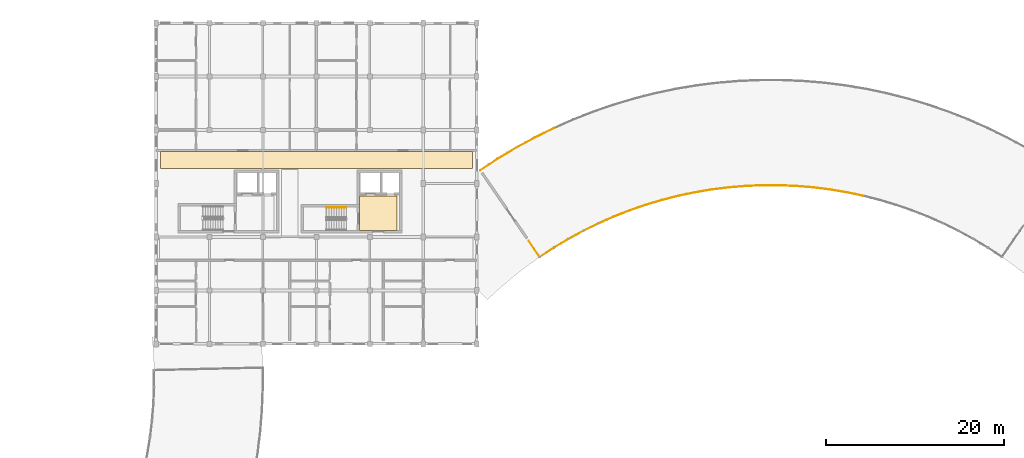
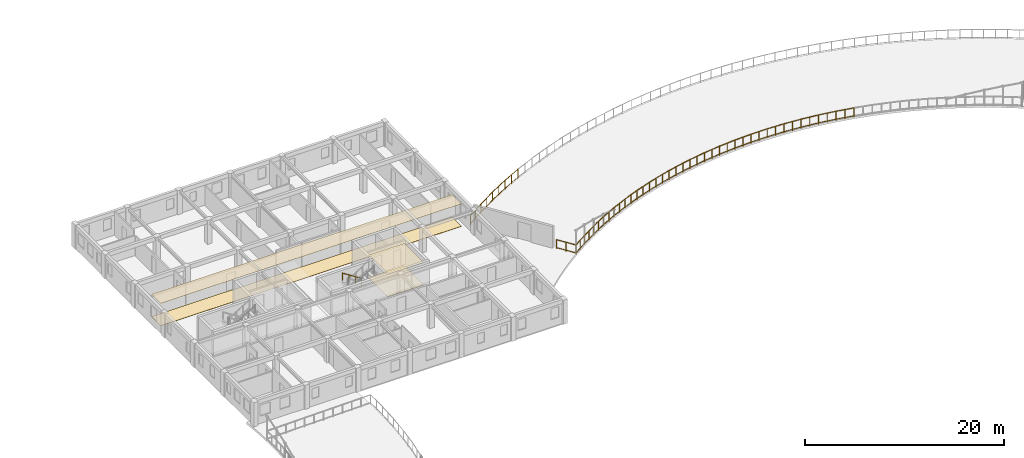
# One storey, part 55 of 58: 26 railings, 4 coverings.
"""IFC4 building model written with IfcOpenShell, lengths in metres."""

from ifc_helpers import new_model, si_unit, direction, frame, origin, origin_2d, place, context, subcontext, project, spatial, polyline, circle, outline, extrude, material, layer, layer_set, type_object, element, save


model = new_model("IFC4")

# Units and contexts
model_context = context("Model", 3, precision=1e-05, world=origin(), true_north=direction((0.0, 1.0)))
body_context = subcontext(model_context, "Body", "Model", "MODEL_VIEW")
ifc_project = project(units=[si_unit("LENGTHUNIT", "METRE"), si_unit("AREAUNIT", "SQUARE_METRE"), si_unit("VOLUMEUNIT", "CUBIC_METRE"), si_unit("PLANEANGLEUNIT", "RADIAN"), si_unit("MASSUNIT", "GRAM", prefix="KILO"), si_unit("POWERUNIT", "WATT"), si_unit("THERMODYNAMICTEMPERATUREUNIT", "KELVIN")], contexts=[model_context])

# Site, building, storey
site_placement = place(None, origin())
site = spatial("IfcSite", under=ifc_project, at=site_placement, CompositionType="ELEMENT")
building_placement = place(site_placement, origin())
building = spatial("IfcBuilding", under=site, at=building_placement, Name="Ruvembo Vaulted Housing Court", CompositionType="ELEMENT")
storey_placement = place(building_placement, frame((0.0, 0.0, 20.5)))
storey = spatial("IfcBuildingStorey", under=building, at=storey_placement, Name="L06", CompositionType="ELEMENT", Elevation=20.5)

# Coverings
ifc_material_1 = material(Name="Perforated Mineral-Fibre Acoustic Tile", Category="gypsum")
ifc_layer_1 = layer(ifc_material_1, 0.02001953125, Name="Perforated Mineral-Fibre Acoustic Tile")
ifc_layer_set_1 = layer_set([ifc_layer_1], Name="Perforated Mineral-Fibre Acoustic Tile")
covering_type_1 = type_object("IfcCoveringType", Name="COV-CEIL-ACOUST", PredefinedType="CEILING", material=ifc_layer_set_1)
covering_1_placement = place(storey_placement, frame((0.0, 0.0, 2.75)))
element("IfcCovering", 1, at=covering_1_placement, inside=storey, type_object=covering_type_1, Name="Protected Core Lobby B2 Ceiling", PredefinedType="CEILING", context=body_context, shape_type="SweptSolid", body=[
    extrude(outline(polyline([(75.050048828125, 94.60009765625), (70.85009765625, 94.60009765625), (70.85009765625, 90.699951171875), (75.050048828125, 90.699951171875), (75.050048828125, 94.60009765625)])), origin(), (0.0, 0.0, 1.0), 0.02001953125),
])
covering_2_placement = place(storey_placement, frame((0.0, 0.0, 2.75)))
element("IfcCovering", 2, at=covering_2_placement, inside=storey, type_object=covering_type_1, Name="Block B L06 North Sub-Corridor Ceiling", PredefinedType="CEILING", context=body_context, shape_type="SweptSolid", body=[
    extrude(outline(polyline([(48.510009765625, 97.7099609375), (83.489990234375, 97.7099609375), (83.489990234375, 99.590087890625), (48.510009765625, 99.590087890625), (48.510009765625, 97.7099609375)])), origin(), (0.0, 0.0, 1.0), 0.02001953125),
])
ifc_material_2 = material(Name="Polished Cement-Aggregate Terrazzo", Category="stone")
ifc_layer_2 = layer(ifc_material_2, 0.02197265625, Name="Polished Cement-Aggregate Terrazzo")
ifc_layer_set_2 = layer_set([ifc_layer_2], Name="Polished Cement-Aggregate Terrazzo")
covering_type_2 = type_object("IfcCoveringType", Name="COV-FLR-CERAMIC", PredefinedType="FLOORING", material=ifc_layer_set_2)
covering_3_placement = place(storey_placement, origin())
element("IfcCovering", 3, at=covering_3_placement, inside=storey, type_object=covering_type_2, Name="Protected Core Lobby B2 Flooring", PredefinedType="FLOORING", context=body_context, shape_type="SweptSolid", body=[
    extrude(outline(polyline([(75.050048828125, 94.60009765625), (70.85009765625, 94.60009765625), (70.85009765625, 90.699951171875), (75.050048828125, 90.699951171875), (75.050048828125, 94.60009765625)])), origin(), (0.0, 0.0, 1.0), 0.02197265625),
])
covering_4_placement = place(storey_placement, origin())
element("IfcCovering", 4, at=covering_4_placement, inside=storey, type_object=covering_type_2, Name="Block B L06 North Sub-Corridor Flooring", PredefinedType="FLOORING", context=body_context, shape_type="SweptSolid", body=[
    extrude(outline(polyline([(48.510009765625, 97.7099609375), (83.489990234375, 97.7099609375), (83.489990234375, 99.590087890625), (48.510009765625, 99.590087890625), (48.510009765625, 97.7099609375)])), origin(), (0.0, 0.0, 1.0), 0.02197265625),
])

# Railings
ifc_material_3 = material(Name="Galvanised Painted Steel and Laminated Glass", Category="steel")
ifc_layer_3 = layer(ifc_material_3, 0.070068359375, Name="Galvanised Painted Steel and Laminated Glass")
ifc_layer_set_3 = layer_set([ifc_layer_3], Name="Galvanised Painted Steel and Laminated Glass")
railing_type_1 = type_object("IfcRailingType", Name="RL-BALUST-1120", PredefinedType="BALUSTRADE", material=ifc_layer_set_3)
railing_1_placement = place(storey_placement, frame((89.82177734375, 89.564453125, 0.0)))
element("IfcRailing", 5, at=railing_1_placement, inside=storey, type_object=railing_type_1, Name="L06 Perimeter Guard RL-EXT-L06-0824", PredefinedType="BALUSTRADE", context=body_context, shape_type="SweptSolid", body=[
    extrude(circle(Radius=0.02392578125, at=origin_2d()), frame((0.0, 0.0, 1.09619140625), z_axis=(0.566222630619, -0.82425234763, 0.0), x_axis=(0.82425234763, 0.566222630619, 0.0)), (0.0, 0.0, 1.0), 2.199951171875),
    extrude(circle(Radius=0.01806640625, at=origin_2d()), frame((0.0, 0.0, 0.1201171875), z_axis=(0.566222630619, -0.82425234763, 0.0), x_axis=(0.82425234763, 0.566222630619, 0.0)), (0.0, 0.0, 1.0), 2.199951171875),
    extrude(circle(Radius=0.02099609375, at=origin_2d()), origin(), (0.0, 0.0, 1.0), 1.072021484375),
    extrude(circle(Radius=0.02099609375, at=origin_2d()), frame((0.622802734375, -0.90673828125, 0.0)), (0.0, 0.0, 1.0), 1.072021484375),
    extrude(circle(Radius=0.02099609375, at=origin_2d()), frame((1.24560546875, -1.813232421875, 0.0)), (0.0, 0.0, 1.0), 1.072021484375),
])
railing_2_placement = place(storey_placement, frame((91.0673828125, 87.751220703125, 0.0)))
element("IfcRailing", 6, at=railing_2_placement, inside=storey, type_object=railing_type_1, Name="L06 Perimeter Guard RL-EXT-L06-0825", PredefinedType="BALUSTRADE", context=body_context, shape_type="SweptSolid", body=[
    extrude(circle(Radius=0.02392578125, at=origin_2d()), frame((0.0, 0.0, 1.09619140625), z_axis=(0.835902452778, 0.548878027834, 0.0), x_axis=(-0.548878027834, 0.835902452778, 0.0)), (0.0, 0.0, 1.0), 1.901123046875),
    extrude(circle(Radius=0.01806640625, at=origin_2d()), frame((0.0, 0.0, 0.1201171875), z_axis=(0.835902452778, 0.548878027834, 0.0), x_axis=(-0.548878027834, 0.835902452778, 0.0)), (0.0, 0.0, 1.0), 1.901123046875),
    extrude(circle(Radius=0.02099609375, at=origin_2d()), origin(), (0.0, 0.0, 1.0), 1.072021484375),
    extrude(circle(Radius=0.02099609375, at=origin_2d()), frame((0.79443359375, 0.521728515625, 0.0)), (0.0, 0.0, 1.0), 1.072021484375),
    extrude(circle(Radius=0.02099609375, at=origin_2d()), frame((1.589111328125, 1.04345703125, 0.0)), (0.0, 0.0, 1.0), 1.072021484375),
])
railing_3_placement = place(storey_placement, frame((92.656494140625, 88.794677734375, 0.0)))
element("IfcRailing", 7, at=railing_3_placement, inside=storey, type_object=railing_type_1, Name="L06 Perimeter Guard RL-EXT-L06-0826", PredefinedType="BALUSTRADE", context=body_context, shape_type="SweptSolid", body=[
    extrude(circle(Radius=0.02392578125, at=origin_2d()), frame((0.0, 0.0, 1.09619140625), z_axis=(0.857889282303, 0.513834583607, 0.0), x_axis=(-0.513834583607, 0.857889282303, 0.0)), (0.0, 0.0, 1.0), 1.901123046875),
    extrude(circle(Radius=0.01806640625, at=origin_2d()), frame((0.0, 0.0, 0.1201171875), z_axis=(0.857889282303, 0.513834583607, 0.0), x_axis=(-0.513834583607, 0.857889282303, 0.0)), (0.0, 0.0, 1.0), 1.901123046875),
    extrude(circle(Radius=0.02099609375, at=origin_2d()), origin(), (0.0, 0.0, 1.0), 1.072021484375),
    extrude(circle(Radius=0.02099609375, at=origin_2d()), frame((0.8154296875, 0.48828125, 0.0)), (0.0, 0.0, 1.0), 1.072021484375),
    extrude(circle(Radius=0.02099609375, at=origin_2d()), frame((1.630859375, 0.976806640625, 0.0)), (0.0, 0.0, 1.0), 1.072021484375),
])
railing_4_placement = place(storey_placement, frame((94.287353515625, 89.771484375, 0.0)))
element("IfcRailing", 8, at=railing_4_placement, inside=storey, type_object=railing_type_1, Name="L06 Perimeter Guard RL-EXT-L06-0827", PredefinedType="BALUSTRADE", context=body_context, shape_type="SweptSolid", body=[
    extrude(circle(Radius=0.02392578125, at=origin_2d()), frame((0.0, 0.0, 1.09619140625), z_axis=(0.878513214386, 0.477718046706, 0.0), x_axis=(-0.477718046706, 0.878513214386, 0.0)), (0.0, 0.0, 1.0), 1.901123046875),
    extrude(circle(Radius=0.01806640625, at=origin_2d()), frame((0.0, 0.0, 0.1201171875), z_axis=(0.878513214386, 0.477718046706, 0.0), x_axis=(-0.477718046706, 0.878513214386, 0.0)), (0.0, 0.0, 1.0), 1.901123046875),
    extrude(circle(Radius=0.02099609375, at=origin_2d()), origin(), (0.0, 0.0, 1.0), 1.072021484375),
    extrude(circle(Radius=0.02099609375, at=origin_2d()), frame((0.8349609375, 0.4541015625, 0.0)), (0.0, 0.0, 1.0), 1.072021484375),
    extrude(circle(Radius=0.02099609375, at=origin_2d()), frame((1.670166015625, 0.908203125, 0.0)), (0.0, 0.0, 1.0), 1.072021484375),
])
railing_5_placement = place(storey_placement, frame((95.95751953125, 90.6796875, 0.0)))
element("IfcRailing", 9, at=railing_5_placement, inside=storey, type_object=railing_type_1, Name="L06 Perimeter Guard RL-EXT-L06-0828", PredefinedType="BALUSTRADE", context=body_context, shape_type="SweptSolid", body=[
    extrude(circle(Radius=0.02392578125, at=origin_2d()), frame((0.0, 0.0, 1.09619140625), z_axis=(0.897513310314, 0.44098736695, 0.0), x_axis=(-0.44098736695, 0.897513310314, 0.0)), (0.0, 0.0, 1.0), 1.901123046875),
    extrude(circle(Radius=0.01806640625, at=origin_2d()), frame((0.0, 0.0, 0.1201171875), z_axis=(0.897513310314, 0.44098736695, 0.0), x_axis=(-0.44098736695, 0.897513310314, 0.0)), (0.0, 0.0, 1.0), 1.901123046875),
    extrude(circle(Radius=0.02099609375, at=origin_2d()), origin(), (0.0, 0.0, 1.0), 1.072021484375),
    extrude(circle(Radius=0.02099609375, at=origin_2d()), frame((0.85302734375, 0.419189453125, 0.0)), (0.0, 0.0, 1.0), 1.072021484375),
    extrude(circle(Radius=0.02099609375, at=origin_2d()), frame((1.706298828125, 0.83837890625, 0.0)), (0.0, 0.0, 1.0), 1.072021484375),
])
railing_6_placement = place(storey_placement, frame((97.663818359375, 91.51806640625, 0.0)))
element("IfcRailing", 10, at=railing_6_placement, inside=storey, type_object=railing_type_1, Name="L06 Perimeter Guard RL-EXT-L06-0829", PredefinedType="BALUSTRADE", context=body_context, shape_type="SweptSolid", body=[
    extrude(circle(Radius=0.02392578125, at=origin_2d()), frame((0.0, 0.0, 1.09619140625), z_axis=(0.91507815309, 0.403276547467, 0.0), x_axis=(-0.403276547467, 0.91507815309, 0.0)), (0.0, 0.0, 1.0), 1.90087890625),
    extrude(circle(Radius=0.01806640625, at=origin_2d()), frame((0.0, 0.0, 0.1201171875), z_axis=(0.91507815309, 0.403276547467, 0.0), x_axis=(-0.403276547467, 0.91507815309, 0.0)), (0.0, 0.0, 1.0), 1.90087890625),
    extrude(circle(Radius=0.02099609375, at=origin_2d()), origin(), (0.0, 0.0, 1.0), 1.072021484375),
    extrude(circle(Radius=0.02099609375, at=origin_2d()), frame((0.86962890625, 0.38330078125, 0.0)), (0.0, 0.0, 1.0), 1.072021484375),
    extrude(circle(Radius=0.02099609375, at=origin_2d()), frame((1.739501953125, 0.7666015625, 0.0)), (0.0, 0.0, 1.0), 1.072021484375),
])
railing_7_placement = place(storey_placement, frame((99.4033203125, 92.28466796875, 0.0)))
element("IfcRailing", 11, at=railing_7_placement, inside=storey, type_object=railing_type_1, Name="L06 Perimeter Guard RL-EXT-L06-0830", PredefinedType="BALUSTRADE", context=body_context, shape_type="SweptSolid", body=[
    extrude(circle(Radius=0.02392578125, at=origin_2d()), frame((0.0, 0.0, 1.09619140625), z_axis=(0.931005720133, 0.365004587752, 0.0), x_axis=(-0.365004587752, 0.931005720133, 0.0)), (0.0, 0.0, 1.0), 1.90087890625),
    extrude(circle(Radius=0.01806640625, at=origin_2d()), frame((0.0, 0.0, 0.1201171875), z_axis=(0.931005720133, 0.365004587752, 0.0), x_axis=(-0.365004587752, 0.931005720133, 0.0)), (0.0, 0.0, 1.0), 1.90087890625),
    extrude(circle(Radius=0.02099609375, at=origin_2d()), origin(), (0.0, 0.0, 1.0), 1.072021484375),
    extrude(circle(Radius=0.02099609375, at=origin_2d()), frame((0.884765625, 0.346923828125, 0.0)), (0.0, 0.0, 1.0), 1.072021484375),
    extrude(circle(Radius=0.02099609375, at=origin_2d()), frame((1.769775390625, 0.69384765625, 0.0)), (0.0, 0.0, 1.0), 1.072021484375),
])
railing_8_placement = place(storey_placement, frame((101.173095703125, 92.978515625, 0.0)))
element("IfcRailing", 12, at=railing_8_placement, inside=storey, type_object=railing_type_1, Name="L06 Perimeter Guard RL-EXT-L06-0831", PredefinedType="BALUSTRADE", context=body_context, shape_type="SweptSolid", body=[
    extrude(circle(Radius=0.02392578125, at=origin_2d()), frame((0.0, 0.0, 1.09619140625), z_axis=(0.945357969834, 0.326034214264, 0.0), x_axis=(-0.326034214264, 0.945357969834, 0.0)), (0.0, 0.0, 1.0), 1.9013671875),
    extrude(circle(Radius=0.01806640625, at=origin_2d()), frame((0.0, 0.0, 0.1201171875), z_axis=(0.945357969834, 0.326034214264, 0.0), x_axis=(-0.326034214264, 0.945357969834, 0.0)), (0.0, 0.0, 1.0), 1.9013671875),
    extrude(circle(Radius=0.02099609375, at=origin_2d()), origin(), (0.0, 0.0, 1.0), 1.072021484375),
    extrude(circle(Radius=0.02099609375, at=origin_2d()), frame((0.898681640625, 0.31005859375, 0.0)), (0.0, 0.0, 1.0), 1.072021484375),
    extrude(circle(Radius=0.02099609375, at=origin_2d()), frame((1.79736328125, 0.619873046875, 0.0)), (0.0, 0.0, 1.0), 1.072021484375),
])
railing_9_placement = place(storey_placement, frame((102.970458984375, 93.598388671875, 0.0)))
element("IfcRailing", 13, at=railing_9_placement, inside=storey, type_object=railing_type_1, Name="L06 Perimeter Guard RL-EXT-L06-0832", PredefinedType="BALUSTRADE", context=body_context, shape_type="SweptSolid", body=[
    extrude(circle(Radius=0.02392578125, at=origin_2d()), frame((0.0, 0.0, 1.09619140625), z_axis=(0.958108609181, 0.286405120439, 0.0), x_axis=(-0.286405120439, 0.958108609181, 0.0)), (0.0, 0.0, 1.0), 1.90087890625),
    extrude(circle(Radius=0.01806640625, at=origin_2d()), frame((0.0, 0.0, 0.1201171875), z_axis=(0.958108609181, 0.286405120439, 0.0), x_axis=(-0.286405120439, 0.958108609181, 0.0)), (0.0, 0.0, 1.0), 1.90087890625),
    extrude(circle(Radius=0.02099609375, at=origin_2d()), origin(), (0.0, 0.0, 1.0), 1.072021484375),
    extrude(circle(Radius=0.02099609375, at=origin_2d()), frame((0.91064453125, 0.272216796875, 0.0)), (0.0, 0.0, 1.0), 1.072021484375),
    extrude(circle(Radius=0.02099609375, at=origin_2d()), frame((1.8212890625, 0.54443359375, 0.0)), (0.0, 0.0, 1.0), 1.072021484375),
])
railing_10_placement = place(storey_placement, frame((104.791748046875, 94.142822265625, 0.0)))
element("IfcRailing", 14, at=railing_10_placement, inside=storey, type_object=railing_type_1, Name="L06 Perimeter Guard RL-EXT-L06-0833", PredefinedType="BALUSTRADE", context=body_context, shape_type="SweptSolid", body=[
    extrude(circle(Radius=0.02392578125, at=origin_2d()), frame((0.0, 0.0, 1.09619140625), z_axis=(0.969121730429, 0.246582788553, 0.0), x_axis=(-0.246582788553, 0.969121730429, 0.0)), (0.0, 0.0, 1.0), 1.90087890625),
    extrude(circle(Radius=0.01806640625, at=origin_2d()), frame((0.0, 0.0, 0.1201171875), z_axis=(0.969121730429, 0.246582788553, 0.0), x_axis=(-0.246582788553, 0.969121730429, 0.0)), (0.0, 0.0, 1.0), 1.90087890625),
    extrude(circle(Radius=0.02099609375, at=origin_2d()), origin(), (0.0, 0.0, 1.0), 1.072021484375),
    extrude(circle(Radius=0.02099609375, at=origin_2d()), frame((0.921142578125, 0.234375, 0.0)), (0.0, 0.0, 1.0), 1.072021484375),
    extrude(circle(Radius=0.02099609375, at=origin_2d()), frame((1.84228515625, 0.46875, 0.0)), (0.0, 0.0, 1.0), 1.072021484375),
])
railing_11_placement = place(storey_placement, frame((106.634033203125, 94.611572265625, 0.0)))
element("IfcRailing", 15, at=railing_11_placement, inside=storey, type_object=railing_type_1, Name="L06 Perimeter Guard RL-EXT-L06-0834", PredefinedType="BALUSTRADE", context=body_context, shape_type="SweptSolid", body=[
    extrude(circle(Radius=0.02392578125, at=origin_2d()), frame((0.0, 0.0, 1.09619140625), z_axis=(0.978529342624, 0.206107558387, 0.0), x_axis=(-0.206107558387, 0.978529342624, 0.0)), (0.0, 0.0, 1.0), 1.901123046875),
    extrude(circle(Radius=0.01806640625, at=origin_2d()), frame((0.0, 0.0, 0.1201171875), z_axis=(0.978529342624, 0.206107558387, 0.0), x_axis=(-0.206107558387, 0.978529342624, 0.0)), (0.0, 0.0, 1.0), 1.901123046875),
    extrude(circle(Radius=0.02099609375, at=origin_2d()), origin(), (0.0, 0.0, 1.0), 1.072021484375),
    extrude(circle(Radius=0.02099609375, at=origin_2d()), frame((0.93017578125, 0.19580078125, 0.0)), (0.0, 0.0, 1.0), 1.072021484375),
    extrude(circle(Radius=0.02099609375, at=origin_2d()), frame((1.8603515625, 0.391845703125, 0.0)), (0.0, 0.0, 1.0), 1.072021484375),
])
railing_12_placement = place(storey_placement, frame((108.494384765625, 95.00341796875, 0.0)))
element("IfcRailing", 16, at=railing_12_placement, inside=storey, type_object=railing_type_1, Name="L06 Perimeter Guard RL-EXT-L06-0835", PredefinedType="BALUSTRADE", context=body_context, shape_type="SweptSolid", body=[
    extrude(circle(Radius=0.02392578125, at=origin_2d()), frame((0.0, 0.0, 1.09619140625), z_axis=(0.986265186139, 0.165169557153, 0.0), x_axis=(-0.165169557153, 0.986265186139, 0.0)), (0.0, 0.0, 1.0), 1.90087890625),
    extrude(circle(Radius=0.01806640625, at=origin_2d()), frame((0.0, 0.0, 0.1201171875), z_axis=(0.986265186139, 0.165169557153, 0.0), x_axis=(-0.165169557153, 0.986265186139, 0.0)), (0.0, 0.0, 1.0), 1.90087890625),
    extrude(circle(Radius=0.02099609375, at=origin_2d()), origin(), (0.0, 0.0, 1.0), 1.072021484375),
    extrude(circle(Radius=0.02099609375, at=origin_2d()), frame((0.9375, 0.156982421875, 0.0)), (0.0, 0.0, 1.0), 1.072021484375),
    extrude(circle(Radius=0.02099609375, at=origin_2d()), frame((1.874755859375, 0.31396484375, 0.0)), (0.0, 0.0, 1.0), 1.072021484375),
])
railing_13_placement = place(storey_placement, frame((110.369140625, 95.3173828125, 0.0)))
element("IfcRailing", 17, at=railing_13_placement, inside=storey, type_object=railing_type_1, Name="L06 Perimeter Guard RL-EXT-L06-0836", PredefinedType="BALUSTRADE", context=body_context, shape_type="SweptSolid", body=[
    extrude(circle(Radius=0.02392578125, at=origin_2d()), frame((0.0, 0.0, 1.09619140625), z_axis=(0.992244255502, 0.124303408739, 0.0), x_axis=(-0.124303408739, 0.992244255502, 0.0)), (0.0, 0.0, 1.0), 1.901123046875),
    extrude(circle(Radius=0.01806640625, at=origin_2d()), frame((0.0, 0.0, 0.1201171875), z_axis=(0.992244255502, 0.124303408739, 0.0), x_axis=(-0.124303408739, 0.992244255502, 0.0)), (0.0, 0.0, 1.0), 1.901123046875),
    extrude(circle(Radius=0.02099609375, at=origin_2d()), origin(), (0.0, 0.0, 1.0), 1.072021484375),
    extrude(circle(Radius=0.02099609375, at=origin_2d()), frame((0.943359375, 0.1181640625, 0.0)), (0.0, 0.0, 1.0), 1.072021484375),
    extrude(circle(Radius=0.02099609375, at=origin_2d()), frame((1.886474609375, 0.236328125, 0.0)), (0.0, 0.0, 1.0), 1.072021484375),
])
railing_14_placement = place(storey_placement, frame((112.255615234375, 95.5537109375, 0.0)))
element("IfcRailing", 18, at=railing_14_placement, inside=storey, type_object=railing_type_1, Name="L06 Perimeter Guard RL-EXT-L06-0837", PredefinedType="BALUSTRADE", context=body_context, shape_type="SweptSolid", body=[
    extrude(circle(Radius=0.02392578125, at=origin_2d()), frame((0.0, 0.0, 1.09619140625), z_axis=(0.99656344911, 0.082832915551, 0.0), x_axis=(-0.082832915551, 0.99656344911, 0.0)), (0.0, 0.0, 1.0), 1.901123046875),
    extrude(circle(Radius=0.01806640625, at=origin_2d()), frame((0.0, 0.0, 0.1201171875), z_axis=(0.99656344911, 0.082832915551, 0.0), x_axis=(-0.082832915551, 0.99656344911, 0.0)), (0.0, 0.0, 1.0), 1.901123046875),
    extrude(circle(Radius=0.02099609375, at=origin_2d()), origin(), (0.0, 0.0, 1.0), 1.072021484375),
    extrude(circle(Radius=0.02099609375, at=origin_2d()), frame((0.947265625, 0.07861328125, 0.0)), (0.0, 0.0, 1.0), 1.072021484375),
    extrude(circle(Radius=0.02099609375, at=origin_2d()), frame((1.89453125, 0.157470703125, 0.0)), (0.0, 0.0, 1.0), 1.072021484375),
])
railing_15_placement = place(storey_placement, frame((114.150146484375, 95.711181640625, 0.0)))
element("IfcRailing", 19, at=railing_15_placement, inside=storey, type_object=railing_type_1, Name="L06 Perimeter Guard RL-EXT-L06-0838", PredefinedType="BALUSTRADE", context=body_context, shape_type="SweptSolid", body=[
    extrude(circle(Radius=0.02392578125, at=origin_2d()), frame((0.0, 0.0, 1.09619140625), z_axis=(0.999139293915, 0.041480975827, 0.0), x_axis=(-0.041480975827, 0.999139293915, 0.0)), (0.0, 0.0, 1.0), 1.901123046875),
    extrude(circle(Radius=0.01806640625, at=origin_2d()), frame((0.0, 0.0, 0.1201171875), z_axis=(0.999139293915, 0.041480975827, 0.0), x_axis=(-0.041480975827, 0.999139293915, 0.0)), (0.0, 0.0, 1.0), 1.901123046875),
    extrude(circle(Radius=0.02099609375, at=origin_2d()), origin(), (0.0, 0.0, 1.0), 1.072021484375),
    extrude(circle(Radius=0.02099609375, at=origin_2d()), frame((0.94970703125, 0.03955078125, 0.0)), (0.0, 0.0, 1.0), 1.072021484375),
    extrude(circle(Radius=0.02099609375, at=origin_2d()), frame((1.8994140625, 0.078857421875, 0.0)), (0.0, 0.0, 1.0), 1.072021484375),
])
railing_16_placement = place(storey_placement, frame((116.049560546875, 95.7900390625, 0.0)))
element("IfcRailing", 20, at=railing_16_placement, inside=storey, type_object=railing_type_1, Name="L06 Perimeter Guard RL-EXT-L06-0839", PredefinedType="BALUSTRADE", context=body_context, shape_type="SweptSolid", body=[
    extrude(circle(Radius=0.02392578125, at=origin_2d()), frame((0.0, 0.0, 1.09619140625), z_axis=(1.0, 0.0, 0.0), x_axis=(0.0, 1.0, 0.0)), (0.0, 0.0, 1.0), 1.90087890625),
    extrude(circle(Radius=0.01806640625, at=origin_2d()), frame((0.0, 0.0, 0.1201171875), z_axis=(1.0, 0.0, 0.0), x_axis=(0.0, 1.0, 0.0)), (0.0, 0.0, 1.0), 1.90087890625),
    extrude(circle(Radius=0.02099609375, at=origin_2d()), origin(), (0.0, 0.0, 1.0), 1.072021484375),
    extrude(circle(Radius=0.02099609375, at=origin_2d()), frame((0.950439453125, 0.0, 0.0)), (0.0, 0.0, 1.0), 1.072021484375),
    extrude(circle(Radius=0.02099609375, at=origin_2d()), frame((1.90087890625, 0.0, 0.0)), (0.0, 0.0, 1.0), 1.072021484375),
])
railing_17_placement = place(storey_placement, frame((117.950439453125, 95.7900390625, 0.0)))
element("IfcRailing", 21, at=railing_17_placement, inside=storey, type_object=railing_type_1, Name="L06 Perimeter Guard RL-EXT-L06-0840", PredefinedType="BALUSTRADE", context=body_context, shape_type="SweptSolid", body=[
    extrude(circle(Radius=0.02392578125, at=origin_2d()), frame((0.0, 0.0, 1.09619140625), z_axis=(0.999139293915, -0.041480975827, 0.0), x_axis=(0.041480975827, 0.999139293915, 0.0)), (0.0, 0.0, 1.0), 1.901123046875),
    extrude(circle(Radius=0.01806640625, at=origin_2d()), frame((0.0, 0.0, 0.1201171875), z_axis=(0.999139293915, -0.041480975827, 0.0), x_axis=(0.041480975827, 0.999139293915, 0.0)), (0.0, 0.0, 1.0), 1.901123046875),
    extrude(circle(Radius=0.02099609375, at=origin_2d()), origin(), (0.0, 0.0, 1.0), 1.072021484375),
    extrude(circle(Radius=0.02099609375, at=origin_2d()), frame((0.94970703125, -0.03955078125, 0.0)), (0.0, 0.0, 1.0), 1.072021484375),
    extrude(circle(Radius=0.02099609375, at=origin_2d()), frame((1.8994140625, -0.078857421875, 0.0)), (0.0, 0.0, 1.0), 1.072021484375),
])
railing_18_placement = place(storey_placement, frame((119.849853515625, 95.711181640625, 0.0)))
element("IfcRailing", 22, at=railing_18_placement, inside=storey, type_object=railing_type_1, Name="L06 Perimeter Guard RL-EXT-L06-0841", PredefinedType="BALUSTRADE", context=body_context, shape_type="SweptSolid", body=[
    extrude(circle(Radius=0.02392578125, at=origin_2d()), frame((0.0, 0.0, 1.09619140625), z_axis=(0.99656344911, -0.082832915551, 0.0), x_axis=(0.082832915551, 0.99656344911, 0.0)), (0.0, 0.0, 1.0), 1.901123046875),
    extrude(circle(Radius=0.01806640625, at=origin_2d()), frame((0.0, 0.0, 0.1201171875), z_axis=(0.99656344911, -0.082832915551, 0.0), x_axis=(0.082832915551, 0.99656344911, 0.0)), (0.0, 0.0, 1.0), 1.901123046875),
    extrude(circle(Radius=0.02099609375, at=origin_2d()), origin(), (0.0, 0.0, 1.0), 1.072021484375),
    extrude(circle(Radius=0.02099609375, at=origin_2d()), frame((0.947265625, -0.07861328125, 0.0)), (0.0, 0.0, 1.0), 1.072021484375),
    extrude(circle(Radius=0.02099609375, at=origin_2d()), frame((1.89453125, -0.157470703125, 0.0)), (0.0, 0.0, 1.0), 1.072021484375),
])
railing_19_placement = place(storey_placement, frame((121.744384765625, 95.5537109375, 0.0)))
element("IfcRailing", 23, at=railing_19_placement, inside=storey, type_object=railing_type_1, Name="L06 Perimeter Guard RL-EXT-L06-0842", PredefinedType="BALUSTRADE", context=body_context, shape_type="SweptSolid", body=[
    extrude(circle(Radius=0.02392578125, at=origin_2d()), frame((0.0, 0.0, 1.09619140625), z_axis=(0.992244255502, -0.124303408739, 0.0), x_axis=(0.124303408739, 0.992244255502, 0.0)), (0.0, 0.0, 1.0), 1.901123046875),
    extrude(circle(Radius=0.01806640625, at=origin_2d()), frame((0.0, 0.0, 0.1201171875), z_axis=(0.992244255502, -0.124303408739, 0.0), x_axis=(0.124303408739, 0.992244255502, 0.0)), (0.0, 0.0, 1.0), 1.901123046875),
    extrude(circle(Radius=0.02099609375, at=origin_2d()), origin(), (0.0, 0.0, 1.0), 1.072021484375),
    extrude(circle(Radius=0.02099609375, at=origin_2d()), frame((0.943359375, -0.1181640625, 0.0)), (0.0, 0.0, 1.0), 1.072021484375),
    extrude(circle(Radius=0.02099609375, at=origin_2d()), frame((1.886474609375, -0.236328125, 0.0)), (0.0, 0.0, 1.0), 1.072021484375),
])
railing_20_placement = place(storey_placement, frame((123.630859375, 95.3173828125, 0.0)))
element("IfcRailing", 24, at=railing_20_placement, inside=storey, type_object=railing_type_1, Name="L06 Perimeter Guard RL-EXT-L06-0843", PredefinedType="BALUSTRADE", context=body_context, shape_type="SweptSolid", body=[
    extrude(circle(Radius=0.02392578125, at=origin_2d()), frame((0.0, 0.0, 1.09619140625), z_axis=(0.986265186139, -0.165169557153, 0.0), x_axis=(0.165169557153, 0.986265186139, 0.0)), (0.0, 0.0, 1.0), 1.90087890625),
    extrude(circle(Radius=0.01806640625, at=origin_2d()), frame((0.0, 0.0, 0.1201171875), z_axis=(0.986265186139, -0.165169557153, 0.0), x_axis=(0.165169557153, 0.986265186139, 0.0)), (0.0, 0.0, 1.0), 1.90087890625),
    extrude(circle(Radius=0.02099609375, at=origin_2d()), origin(), (0.0, 0.0, 1.0), 1.072021484375),
    extrude(circle(Radius=0.02099609375, at=origin_2d()), frame((0.9375, -0.156982421875, 0.0)), (0.0, 0.0, 1.0), 1.072021484375),
    extrude(circle(Radius=0.02099609375, at=origin_2d()), frame((1.874755859375, -0.31396484375, 0.0)), (0.0, 0.0, 1.0), 1.072021484375),
])
railing_21_placement = place(storey_placement, frame((125.505615234375, 95.00341796875, 0.0)))
element("IfcRailing", 25, at=railing_21_placement, inside=storey, type_object=railing_type_1, Name="L06 Perimeter Guard RL-EXT-L06-0844", PredefinedType="BALUSTRADE", context=body_context, shape_type="SweptSolid", body=[
    extrude(circle(Radius=0.02392578125, at=origin_2d()), frame((0.0, 0.0, 1.09619140625), z_axis=(0.978529342624, -0.206107558387, 0.0), x_axis=(0.206107558387, 0.978529342624, 0.0)), (0.0, 0.0, 1.0), 1.901123046875),
    extrude(circle(Radius=0.01806640625, at=origin_2d()), frame((0.0, 0.0, 0.1201171875), z_axis=(0.978529342624, -0.206107558387, 0.0), x_axis=(0.206107558387, 0.978529342624, 0.0)), (0.0, 0.0, 1.0), 1.901123046875),
    extrude(circle(Radius=0.02099609375, at=origin_2d()), origin(), (0.0, 0.0, 1.0), 1.072021484375),
    extrude(circle(Radius=0.02099609375, at=origin_2d()), frame((0.93017578125, -0.19580078125, 0.0)), (0.0, 0.0, 1.0), 1.072021484375),
    extrude(circle(Radius=0.02099609375, at=origin_2d()), frame((1.8603515625, -0.391845703125, 0.0)), (0.0, 0.0, 1.0), 1.072021484375),
])
railing_22_placement = place(storey_placement, frame((92.681884765625, 102.21484375, 0.0)))
element("IfcRailing", 26, at=railing_22_placement, inside=storey, type_object=railing_type_1, Name="L06 Perimeter Guard RL-EXT-L06-0880", PredefinedType="BALUSTRADE", context=body_context, shape_type="SweptSolid", body=[
    extrude(circle(Radius=0.02392578125, at=origin_2d()), frame((0.0, 0.0, 1.09619140625), z_axis=(-0.897550072852, -0.440912538632, 0.0), x_axis=(0.440912538632, -0.897550072852, 0.0)), (0.0, 0.0, 1.0), 2.390869140625),
    extrude(circle(Radius=0.01806640625, at=origin_2d()), frame((0.0, 0.0, 0.1201171875), z_axis=(-0.897550072852, -0.440912538632, 0.0), x_axis=(0.440912538632, -0.897550072852, 0.0)), (0.0, 0.0, 1.0), 2.390869140625),
    extrude(circle(Radius=0.02099609375, at=origin_2d()), origin(), (0.0, 0.0, 1.0), 1.072021484375),
    extrude(circle(Radius=0.02099609375, at=origin_2d()), frame((-1.072998046875, -0.527099609375, 0.0)), (0.0, 0.0, 1.0), 1.072021484375),
    extrude(circle(Radius=0.02099609375, at=origin_2d()), frame((-2.14599609375, -1.05419921875, 0.0)), (0.0, 0.0, 1.0), 1.072021484375),
])
railing_23_placement = place(storey_placement, frame((90.535888671875, 101.16064453125, 0.0)))
element("IfcRailing", 27, at=railing_23_placement, inside=storey, type_object=railing_type_1, Name="L06 Perimeter Guard RL-EXT-L06-0881", PredefinedType="BALUSTRADE", context=body_context, shape_type="SweptSolid", body=[
    extrude(circle(Radius=0.02392578125, at=origin_2d()), frame((0.0, 0.0, 1.09619140625), z_axis=(-0.87847638328, -0.477785772099, 0.0), x_axis=(0.477785772099, -0.87847638328, 0.0)), (0.0, 0.0, 1.0), 2.390869140625),
    extrude(circle(Radius=0.01806640625, at=origin_2d()), frame((0.0, 0.0, 0.1201171875), z_axis=(-0.87847638328, -0.477785772099, 0.0), x_axis=(0.477785772099, -0.87847638328, 0.0)), (0.0, 0.0, 1.0), 2.390869140625),
    extrude(circle(Radius=0.02099609375, at=origin_2d()), origin(), (0.0, 0.0, 1.0), 1.072021484375),
    extrude(circle(Radius=0.02099609375, at=origin_2d()), frame((-1.05029296875, -0.5712890625, 0.0)), (0.0, 0.0, 1.0), 1.072021484375),
    extrude(circle(Radius=0.02099609375, at=origin_2d()), frame((-2.100341796875, -1.142333984375, 0.0)), (0.0, 0.0, 1.0), 1.072021484375),
])
railing_24_placement = place(storey_placement, frame((88.435546875, 100.018310546875, 0.0)))
element("IfcRailing", 28, at=railing_24_placement, inside=storey, type_object=railing_type_1, Name="L06 Perimeter Guard RL-EXT-L06-0882", PredefinedType="BALUSTRADE", context=body_context, shape_type="SweptSolid", body=[
    extrude(circle(Radius=0.02392578125, at=origin_2d()), frame((0.0, 0.0, 1.09619140625), z_axis=(-0.857880124323, -0.5138498733, 0.0), x_axis=(0.5138498733, -0.857880124323, 0.0)), (0.0, 0.0, 1.0), 2.390869140625),
    extrude(circle(Radius=0.01806640625, at=origin_2d()), frame((0.0, 0.0, 0.1201171875), z_axis=(-0.857880124323, -0.5138498733, 0.0), x_axis=(0.5138498733, -0.857880124323, 0.0)), (0.0, 0.0, 1.0), 2.390869140625),
    extrude(circle(Radius=0.02099609375, at=origin_2d()), origin(), (0.0, 0.0, 1.0), 1.072021484375),
    extrude(circle(Radius=0.02099609375, at=origin_2d()), frame((-1.025390625, -0.6142578125, 0.0)), (0.0, 0.0, 1.0), 1.072021484375),
    extrude(circle(Radius=0.02099609375, at=origin_2d()), frame((-2.051025390625, -1.228515625, 0.0)), (0.0, 0.0, 1.0), 1.072021484375),
])
railing_25_placement = place(storey_placement, frame((86.384521484375, 98.789794921875, 0.0)))
element("IfcRailing", 29, at=railing_25_placement, inside=storey, type_object=railing_type_1, Name="L06 Perimeter Guard RL-EXT-L06-0883", PredefinedType="BALUSTRADE", context=body_context, shape_type="SweptSolid", body=[
    extrude(circle(Radius=0.02392578125, at=origin_2d()), frame((0.0, 0.0, 1.09619140625), z_axis=(-0.835832667649, -0.548984290932, 0.0), x_axis=(0.548984290932, -0.835832667649, 0.0)), (0.0, 0.0, 1.0), 2.390869140625),
    extrude(circle(Radius=0.01806640625, at=origin_2d()), frame((0.0, 0.0, 0.1201171875), z_axis=(-0.835832667649, -0.548984290932, 0.0), x_axis=(0.548984290932, -0.835832667649, 0.0)), (0.0, 0.0, 1.0), 2.390869140625),
    extrude(circle(Radius=0.02099609375, at=origin_2d()), origin(), (0.0, 0.0, 1.0), 1.072021484375),
    extrude(circle(Radius=0.02099609375, at=origin_2d()), frame((-0.9990234375, -0.65625, 0.0)), (0.0, 0.0, 1.0), 1.072021484375),
    extrude(circle(Radius=0.02099609375, at=origin_2d()), frame((-1.998291015625, -1.3125, 0.0)), (0.0, 0.0, 1.0), 1.072021484375),
])
ifc_material_4 = material(Name="Brushed Stainless Steel 304", Category="steel")
ifc_layer_4 = layer(ifc_material_4, 0.050048828125, Name="Brushed Stainless Steel 304")
ifc_layer_set_4 = layer_set([ifc_layer_4], Name="Brushed Stainless Steel 304")
railing_type_2 = type_object("IfcRailingType", Name="RL-STAIR-HR920", PredefinedType="HANDRAIL", material=ifc_layer_set_4)
railing_26_placement = place(storey_placement, frame((69.35009765625, 93.300048828125, 0.359375)))
element("IfcRailing", 30, at=railing_26_placement, inside=storey, type_object=railing_type_2, Name="L06 ST-B2 stair handrail 1", PredefinedType="HANDRAIL", context=body_context, shape_type="SweptSolid", body=[
    extrude(circle(Radius=0.02392578125, at=origin_2d()), frame((0.0, 0.0, 0.8759765625), z_axis=(-0.8442293374, 0.0, 0.53598211339), x_axis=(0.0, -1.0, 0.0)), (0.0, 0.0, 1.0), 2.6533203125),
    extrude(circle(Radius=0.02099609375, at=origin_2d()), origin(), (0.0, 0.0, 1.0), 0.851806640625),
    extrude(circle(Radius=0.02099609375, at=origin_2d()), frame((-0.74658203125, 0.0, 0.47412109375)), (0.0, 0.0, 1.0), 0.851806640625),
    extrude(circle(Radius=0.02099609375, at=origin_2d()), frame((-1.493408203125, 0.0, 0.947998046875)), (0.0, 0.0, 1.0), 0.851806640625),
    extrude(circle(Radius=0.02099609375, at=origin_2d()), frame((-2.239990234375, 0.0, 1.422119140625)), (0.0, 0.0, 1.0), 0.851806640625),
])

save(model, "model.ifc")
